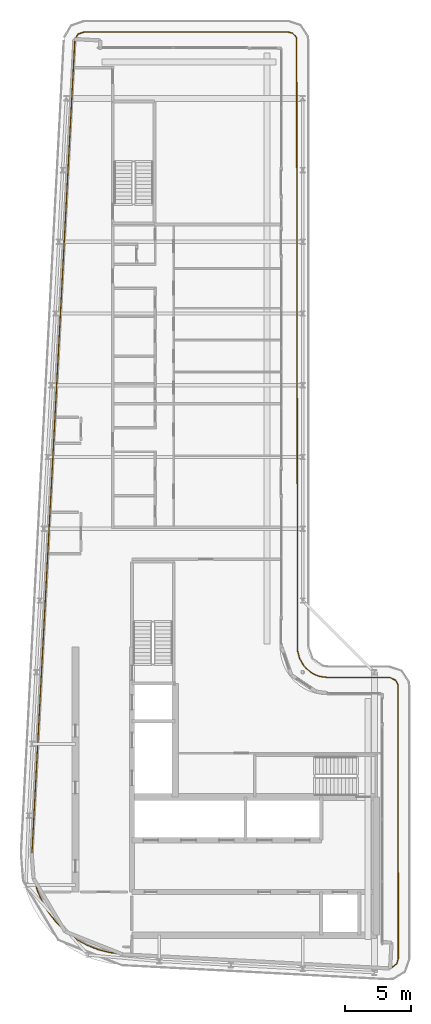
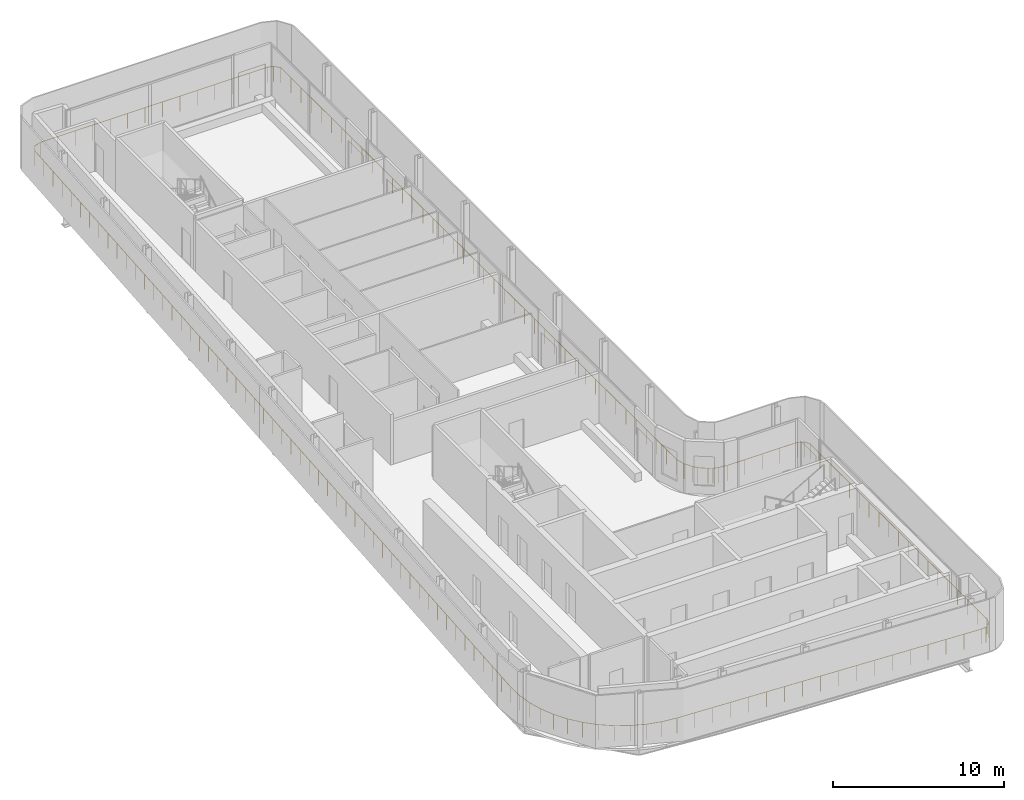
# One storey, part 16 of 19: 1 railing.
"""IFC4 building model written with IfcOpenShell, lengths in metres."""

from ifc_helpers import new_model, si_unit, direction, frame, origin, origin_2d, place, context, subcontext, project, spatial, circle, extrude, material, type_object, element, save


model = new_model("IFC4")

# Units and contexts
model_context = context("Model", 3, precision=1e-05, world=origin(), true_north=direction((0.0, 1.0)))
body_context = subcontext(model_context, "Body", "Model", "MODEL_VIEW")
ifc_project = project(units=[si_unit("LENGTHUNIT", "METRE"), si_unit("AREAUNIT", "SQUARE_METRE"), si_unit("VOLUMEUNIT", "CUBIC_METRE"), si_unit("PLANEANGLEUNIT", "RADIAN"), si_unit("MASSUNIT", "GRAM", prefix="KILO")], contexts=[model_context])

# Site, building, storey
site_placement = place(None, origin())
site = spatial("IfcSite", under=ifc_project, at=site_placement, CompositionType="ELEMENT")
building_placement = place(site_placement, origin())
building = spatial("IfcBuilding", under=site, at=building_placement, Name="Kheshtan School and Residences Tower", CompositionType="ELEMENT")
storey_placement = place(building_placement, frame((0.0, 0.0, 353.89990234375)))
storey = spatial("IfcBuildingStorey", under=building, at=storey_placement, Name="L83", CompositionType="ELEMENT", Elevation=353.89990234375)

# Railing
ifc_material = material(Name="Stainless steel balustrade", Category="steel")
railing_type = type_object("IfcRailingType", Name="Loggia guard 1100", PredefinedType="GUARDRAIL", material=ifc_material)
railing_placement = place(storey_placement, frame((30.452880859375, 93.23193359375, 0.0)))
element("IfcRailing", 1, at=railing_placement, inside=storey, type_object=railing_type, Name="Guard L83 1", PredefinedType="GUARDRAIL", context=body_context, shape_type="SweptSolid", body=[
    extrude(circle(Radius=0.02392578125, at=origin_2d()), frame((0.0, 0.0, 1.076171875), z_axis=(0.511384164068, 0.859352219256, 0.0), x_axis=(-0.859352219256, 0.511384164068, 0.0)), (0.0, 0.0, 1.0), 0.4736328125),
    extrude(circle(Radius=0.02392578125, at=origin_2d()), frame((0.2421875, 0.406982421875, 1.076171875), z_axis=(0.94615212502, 0.323722344486, 0.0), x_axis=(-0.323722344486, 0.94615212502, 0.0)), (0.0, 0.0, 1.0), 0.497802734375),
    extrude(circle(Radius=0.02392578125, at=origin_2d()), frame((0.713134765625, 0.568115234375, 1.076171875), z_axis=(1.0, 0.0, 0.0), x_axis=(0.0, 1.0, 0.0)), (0.0, 0.0, 1.0), 15.306884765625),
    extrude(circle(Radius=0.02392578125, at=origin_2d()), frame((16.02001953125, 0.568115234375, 1.076171875), z_axis=(0.969584789188, -0.244755667095, 0.0), x_axis=(0.244755667095, 0.969584789188, 0.0)), (0.0, 0.0, 1.0), 0.387939453125),
    extrude(circle(Radius=0.02392578125, at=origin_2d()), frame((16.396240234375, 0.47314453125, 1.076171875), z_axis=(0.658543074433, -0.752543034727, 0.0), x_axis=(0.752543034727, 0.658543074433, 0.0)), (0.0, 0.0, 1.0), 0.44921875),
    extrude(circle(Radius=0.02392578125, at=origin_2d()), frame((16.692138671875, 0.135009765625, 1.076171875), z_axis=(0.00158113856, -0.99999875, 0.0), x_axis=(0.99999875, 0.00158113856, 0.0)), (0.0, 0.0, 1.0), 46.16796875),
    extrude(circle(Radius=0.02392578125, at=origin_2d()), frame((16.76513671875, -46.032958984375, 1.076171875), z_axis=(0.258194066029, -0.966093072259, 0.0), x_axis=(0.966093072259, 0.258194066029, 0.0)), (0.0, 0.0, 1.0), 0.600341796875),
    extrude(circle(Radius=0.02392578125, at=origin_2d()), frame((16.920166015625, -46.613037109375, 1.076171875), z_axis=(0.500650830488, -0.865649320413, 0.0), x_axis=(0.865649320413, 0.500650830488, 0.0)), (0.0, 0.0, 1.0), 0.599365234375),
    extrude(circle(Radius=0.02392578125, at=origin_2d()), frame((17.22021484375, -47.1318359375, 1.076171875), z_axis=(0.657475962228, -0.753475519903, 0.0), x_axis=(0.753475519903, 0.657475962228, 0.0)), (0.0, 0.0, 1.0), 0.302734375),
    extrude(circle(Radius=0.02392578125, at=origin_2d()), frame((17.419189453125, -47.35986328125, 1.076171875), z_axis=(0.794207829635, -0.607646215611, 0.0), x_axis=(0.607646215611, 0.794207829635, 0.0)), (0.0, 0.0, 1.0), 0.6005859375),
    extrude(circle(Radius=0.02392578125, at=origin_2d()), frame((17.896240234375, -47.724853515625, 1.076171875), z_axis=(0.895558957072, -0.444942866455, 0.0), x_axis=(0.444942866455, 0.895558957072, 0.0)), (0.0, 0.0, 1.0), 0.30126953125),
    extrude(circle(Radius=0.02392578125, at=origin_2d()), frame((18.166015625, -47.85888671875, 1.076171875), z_axis=(0.946890871883, -0.321555091305, 0.0), x_axis=(0.321555091305, 0.946890871883, 0.0)), (0.0, 0.0, 1.0), 0.30224609375),
    extrude(circle(Radius=0.02392578125, at=origin_2d()), frame((18.4521484375, -47.9560546875, 1.076171875), z_axis=(0.991179452641, -0.132526573418, 0.0), x_axis=(0.132526573418, 0.991179452641, 0.0)), (0.0, 0.0, 1.0), 0.572998046875),
    extrude(circle(Radius=0.02392578125, at=origin_2d()), frame((19.02001953125, -48.031982421875, 1.076171875), z_axis=(0.999998541999, -0.001707630111, 0.0), x_axis=(0.001707630111, 0.999998541999, 0.0)), (0.0, 0.0, 1.0), 4.718017578125),
    extrude(circle(Radius=0.02392578125, at=origin_2d()), frame((23.738037109375, -48.0400390625, 1.076171875), z_axis=(0.897558100782, -0.440896196084, 0.0), x_axis=(0.440896196084, 0.897558100782, 0.0)), (0.0, 0.0, 1.0), 0.448974609375),
    extrude(circle(Radius=0.02392578125, at=origin_2d()), frame((24.14111328125, -48.238037109375, 1.076171875), z_axis=(0.498394889566, -0.866950133546, 0.0), x_axis=(0.866950133546, 0.498394889566, 0.0)), (0.0, 0.0, 1.0), 0.361083984375),
    extrude(circle(Radius=0.02392578125, at=origin_2d()), frame((24.321044921875, -48.551025390625, 1.076171875), z_axis=(0.001266271174, -0.999999198278, 0.0), x_axis=(0.999999198278, 0.001266271174, 0.0)), (0.0, 0.0, 1.0), 20.6298828125),
    extrude(circle(Radius=0.02392578125, at=origin_2d()), frame((24.34716796875, -69.180908203125, 1.076171875), z_axis=(-0.253805819319, -0.967255191808, 0.0), x_axis=(0.967255191808, -0.253805819319, 0.0)), (0.0, 0.0, 1.0), 0.402099609375),
    extrude(circle(Radius=0.02392578125, at=origin_2d()), frame((24.2451171875, -69.56982421875, 1.076171875), z_axis=(-0.7708150077, -0.637059042715, 0.0), x_axis=(0.637059042715, -0.7708150077, 0.0)), (0.0, 0.0, 1.0), 0.4619140625),
    extrude(circle(Radius=0.02392578125, at=origin_2d()), frame((23.88916015625, -69.864013671875, 1.076171875), z_axis=(-0.990293977152, -0.138988628372, 0.0), x_axis=(0.138988628372, -0.990293977152, 0.0)), (0.0, 0.0, 1.0), 0.30908203125),
    extrude(circle(Radius=0.02392578125, at=origin_2d()), frame((23.5830078125, -69.906982421875, 1.076171875), z_axis=(-0.99861401751, 0.052631207781, 0.0), x_axis=(-0.052631207781, -0.99861401751, 0.0)), (0.0, 0.0, 1.0), 20.0068359375),
    extrude(circle(Radius=0.02392578125, at=origin_2d()), frame((3.60400390625, -68.85400390625, 1.076171875), z_axis=(-0.993152326572, 0.116826607521, 0.0), x_axis=(-0.116826607521, -0.993152326572, 0.0)), (0.0, 0.0, 1.0), 0.967529296875),
    extrude(circle(Radius=0.02392578125, at=origin_2d()), frame((2.64306640625, -68.740966796875, 1.076171875), z_axis=(-0.969142269941, 0.246502049918, 0.0), x_axis=(-0.246502049918, -0.969142269941, 0.0)), (0.0, 0.0, 1.0), 0.94091796875),
    extrude(circle(Radius=0.02392578125, at=origin_2d()), frame((1.731201171875, -68.509033203125, 1.076171875), z_axis=(-0.928440955332, 0.371480002775, 0.0), x_axis=(-0.371480002775, -0.928440955332, 0.0)), (0.0, 0.0, 1.0), 0.9423828125),
    extrude(circle(Radius=0.02392578125, at=origin_2d()), frame((0.856201171875, -68.158935546875, 1.076171875), z_axis=(-0.872673913379, 0.488303431187, 0.0), x_axis=(-0.488303431187, -0.872673913379, 0.0)), (0.0, 0.0, 1.0), 0.94189453125),
    extrude(circle(Radius=0.02392578125, at=origin_2d()), frame((0.0341796875, -67.698974609375, 1.076171875), z_axis=(-0.801336596607, 0.598213723462, 0.0), x_axis=(-0.598213723462, -0.801336596607, 0.0)), (0.0, 0.0, 1.0), 0.941162109375),
    extrude(circle(Radius=0.02392578125, at=origin_2d()), frame((-0.719970703125, -67.135986328125, 1.076171875), z_axis=(-0.71600013962, 0.69810013613, 0.0), x_axis=(-0.69810013613, -0.71600013962, 0.0)), (0.0, 0.0, 1.0), 0.941162109375),
    extrude(circle(Radius=0.02392578125, at=origin_2d()), frame((-1.393798828125, -66.47900390625, 1.076171875), z_axis=(-0.618862535768, 0.785499307334, 0.0), x_axis=(-0.785499307334, -0.618862535768, 0.0)), (0.0, 0.0, 1.0), 0.942138671875),
    extrude(circle(Radius=0.02392578125, at=origin_2d()), frame((-1.976806640625, -65.739013671875, 1.076171875), z_axis=(-0.510214927824, 0.860046933269, 0.0), x_axis=(-0.860046933269, -0.510214927824, 0.0)), (0.0, 0.0, 1.0), 0.940673828125),
    extrude(circle(Radius=0.02392578125, at=origin_2d()), frame((-2.456787109375, -64.929931640625, 1.076171875), z_axis=(-0.394763216191, 0.918782892278, 0.0), x_axis=(-0.918782892278, -0.394763216191, 0.0)), (0.0, 0.0, 1.0), 0.942626953125),
    extrude(circle(Radius=0.02392578125, at=origin_2d()), frame((-2.828857421875, -64.06396484375, 1.076171875), z_axis=(-0.272014427065, 0.962293173346, 0.0), x_axis=(-0.962293173346, -0.272014427065, 0.0)), (0.0, 0.0, 1.0), 0.94140625),
    extrude(circle(Radius=0.02392578125, at=origin_2d()), frame((-3.0849609375, -63.157958984375, 1.076171875), z_axis=(-0.143344445165, 0.989672860111, 0.0), x_axis=(-0.989672860111, -0.143344445165, 0.0)), (0.0, 0.0, 1.0), 0.94189453125),
    extrude(circle(Radius=0.02392578125, at=origin_2d()), frame((-3.219970703125, -62.225830078125, 1.076171875), z_axis=(-0.013382639841, 0.999910448466, 0.0), x_axis=(-0.999910448466, -0.013382639841, 0.0)), (0.0, 0.0, 1.0), 0.966796875),
    extrude(circle(Radius=0.02392578125, at=origin_2d()), frame((-3.23291015625, -61.259033203125, 1.076171875), z_axis=(0.052701084501, 0.998610332258, 0.0), x_axis=(-0.998610332258, 0.052701084501, 0.0)), (0.0, 0.0, 1.0), 61.34423828125),
    extrude(circle(Radius=0.02099609375, at=origin_2d()), origin(), (0.0, 0.0, 1.0), 1.052001953125),
    extrude(circle(Radius=0.02099609375, at=origin_2d()), frame((0.2421875, 0.406982421875, 0.0)), (0.0, 0.0, 1.0), 1.052001953125),
    extrude(circle(Radius=0.02099609375, at=origin_2d()), frame((0.713134765625, 0.568115234375, 0.0)), (0.0, 0.0, 1.0), 1.052001953125),
    extrude(circle(Radius=0.02099609375, at=origin_2d()), frame((1.890625, 0.568115234375, 0.0)), (0.0, 0.0, 1.0), 1.052001953125),
    extrude(circle(Radius=0.02099609375, at=origin_2d()), frame((3.068115234375, 0.568115234375, 0.0)), (0.0, 0.0, 1.0), 1.052001953125),
    extrude(circle(Radius=0.02099609375, at=origin_2d()), frame((4.24560546875, 0.568115234375, 0.0)), (0.0, 0.0, 1.0), 1.052001953125),
    extrude(circle(Radius=0.02099609375, at=origin_2d()), frame((5.4228515625, 0.568115234375, 0.0)), (0.0, 0.0, 1.0), 1.052001953125),
    extrude(circle(Radius=0.02099609375, at=origin_2d()), frame((6.600341796875, 0.568115234375, 0.0)), (0.0, 0.0, 1.0), 1.052001953125),
    extrude(circle(Radius=0.02099609375, at=origin_2d()), frame((7.77783203125, 0.568115234375, 0.0)), (0.0, 0.0, 1.0), 1.052001953125),
    extrude(circle(Radius=0.02099609375, at=origin_2d()), frame((8.955322265625, 0.568115234375, 0.0)), (0.0, 0.0, 1.0), 1.052001953125),
    extrude(circle(Radius=0.02099609375, at=origin_2d()), frame((10.1328125, 0.568115234375, 0.0)), (0.0, 0.0, 1.0), 1.052001953125),
    extrude(circle(Radius=0.02099609375, at=origin_2d()), frame((11.310302734375, 0.568115234375, 0.0)), (0.0, 0.0, 1.0), 1.052001953125),
    extrude(circle(Radius=0.02099609375, at=origin_2d()), frame((12.487548828125, 0.568115234375, 0.0)), (0.0, 0.0, 1.0), 1.052001953125),
    extrude(circle(Radius=0.02099609375, at=origin_2d()), frame((13.6650390625, 0.568115234375, 0.0)), (0.0, 0.0, 1.0), 1.052001953125),
    extrude(circle(Radius=0.02099609375, at=origin_2d()), frame((14.842529296875, 0.568115234375, 0.0)), (0.0, 0.0, 1.0), 1.052001953125),
    extrude(circle(Radius=0.02099609375, at=origin_2d()), frame((16.02001953125, 0.568115234375, 0.0)), (0.0, 0.0, 1.0), 1.052001953125),
    extrude(circle(Radius=0.02099609375, at=origin_2d()), frame((16.396240234375, 0.47314453125, 0.0)), (0.0, 0.0, 1.0), 1.052001953125),
    extrude(circle(Radius=0.02099609375, at=origin_2d()), frame((16.692138671875, 0.135009765625, 0.0)), (0.0, 0.0, 1.0), 1.052001953125),
    extrude(circle(Radius=0.02099609375, at=origin_2d()), frame((16.694091796875, -1.048828125, 0.0)), (0.0, 0.0, 1.0), 1.052001953125),
    extrude(circle(Radius=0.02099609375, at=origin_2d()), frame((16.69580078125, -2.232666015625, 0.0)), (0.0, 0.0, 1.0), 1.052001953125),
    extrude(circle(Radius=0.02099609375, at=origin_2d()), frame((16.69775390625, -3.416259765625, 0.0)), (0.0, 0.0, 1.0), 1.052001953125),
    extrude(circle(Radius=0.02099609375, at=origin_2d()), frame((16.69970703125, -4.60009765625, 0.0)), (0.0, 0.0, 1.0), 1.052001953125),
    extrude(circle(Radius=0.02099609375, at=origin_2d()), frame((16.701416015625, -5.783935546875, 0.0)), (0.0, 0.0, 1.0), 1.052001953125),
    extrude(circle(Radius=0.02099609375, at=origin_2d()), frame((16.703369140625, -6.9677734375, 0.0)), (0.0, 0.0, 1.0), 1.052001953125),
    extrude(circle(Radius=0.02099609375, at=origin_2d()), frame((16.705322265625, -8.151611328125, 0.0)), (0.0, 0.0, 1.0), 1.052001953125),
    extrude(circle(Radius=0.02099609375, at=origin_2d()), frame((16.70703125, -9.33544921875, 0.0)), (0.0, 0.0, 1.0), 1.052001953125),
    extrude(circle(Radius=0.02099609375, at=origin_2d()), frame((16.708984375, -10.51904296875, 0.0)), (0.0, 0.0, 1.0), 1.052001953125),
    extrude(circle(Radius=0.02099609375, at=origin_2d()), frame((16.7109375, -11.702880859375, 0.0)), (0.0, 0.0, 1.0), 1.052001953125),
    extrude(circle(Radius=0.02099609375, at=origin_2d()), frame((16.712646484375, -12.88671875, 0.0)), (0.0, 0.0, 1.0), 1.052001953125),
    extrude(circle(Radius=0.02099609375, at=origin_2d()), frame((16.714599609375, -14.070556640625, 0.0)), (0.0, 0.0, 1.0), 1.052001953125),
    extrude(circle(Radius=0.02099609375, at=origin_2d()), frame((16.716552734375, -15.25439453125, 0.0)), (0.0, 0.0, 1.0), 1.052001953125),
    extrude(circle(Radius=0.02099609375, at=origin_2d()), frame((16.71826171875, -16.43798828125, 0.0)), (0.0, 0.0, 1.0), 1.052001953125),
    extrude(circle(Radius=0.02099609375, at=origin_2d()), frame((16.72021484375, -17.621826171875, 0.0)), (0.0, 0.0, 1.0), 1.052001953125),
    extrude(circle(Radius=0.02099609375, at=origin_2d()), frame((16.72216796875, -18.8056640625, 0.0)), (0.0, 0.0, 1.0), 1.052001953125),
    extrude(circle(Radius=0.02099609375, at=origin_2d()), frame((16.723876953125, -19.989501953125, 0.0)), (0.0, 0.0, 1.0), 1.052001953125),
    extrude(circle(Radius=0.02099609375, at=origin_2d()), frame((16.725830078125, -21.17333984375, 0.0)), (0.0, 0.0, 1.0), 1.052001953125),
    extrude(circle(Radius=0.02099609375, at=origin_2d()), frame((16.727783203125, -22.357177734375, 0.0)), (0.0, 0.0, 1.0), 1.052001953125),
    extrude(circle(Radius=0.02099609375, at=origin_2d()), frame((16.7294921875, -23.540771484375, 0.0)), (0.0, 0.0, 1.0), 1.052001953125),
    extrude(circle(Radius=0.02099609375, at=origin_2d()), frame((16.7314453125, -24.724609375, 0.0)), (0.0, 0.0, 1.0), 1.052001953125),
    extrude(circle(Radius=0.02099609375, at=origin_2d()), frame((16.7333984375, -25.908447265625, 0.0)), (0.0, 0.0, 1.0), 1.052001953125),
    extrude(circle(Radius=0.02099609375, at=origin_2d()), frame((16.735107421875, -27.09228515625, 0.0)), (0.0, 0.0, 1.0), 1.052001953125),
    extrude(circle(Radius=0.02099609375, at=origin_2d()), frame((16.737060546875, -28.276123046875, 0.0)), (0.0, 0.0, 1.0), 1.052001953125),
    extrude(circle(Radius=0.02099609375, at=origin_2d()), frame((16.739013671875, -29.4599609375, 0.0)), (0.0, 0.0, 1.0), 1.052001953125),
    extrude(circle(Radius=0.02099609375, at=origin_2d()), frame((16.74072265625, -30.6435546875, 0.0)), (0.0, 0.0, 1.0), 1.052001953125),
    extrude(circle(Radius=0.02099609375, at=origin_2d()), frame((16.74267578125, -31.827392578125, 0.0)), (0.0, 0.0, 1.0), 1.052001953125),
    extrude(circle(Radius=0.02099609375, at=origin_2d()), frame((16.74462890625, -33.01123046875, 0.0)), (0.0, 0.0, 1.0), 1.052001953125),
    extrude(circle(Radius=0.02099609375, at=origin_2d()), frame((16.746337890625, -34.195068359375, 0.0)), (0.0, 0.0, 1.0), 1.052001953125),
    extrude(circle(Radius=0.02099609375, at=origin_2d()), frame((16.748291015625, -35.37890625, 0.0)), (0.0, 0.0, 1.0), 1.052001953125),
    extrude(circle(Radius=0.02099609375, at=origin_2d()), frame((16.750244140625, -36.5625, 0.0)), (0.0, 0.0, 1.0), 1.052001953125),
    extrude(circle(Radius=0.02099609375, at=origin_2d()), frame((16.751953125, -37.746337890625, 0.0)), (0.0, 0.0, 1.0), 1.052001953125),
    extrude(circle(Radius=0.02099609375, at=origin_2d()), frame((16.75390625, -38.93017578125, 0.0)), (0.0, 0.0, 1.0), 1.052001953125),
    extrude(circle(Radius=0.02099609375, at=origin_2d()), frame((16.755859375, -40.114013671875, 0.0)), (0.0, 0.0, 1.0), 1.052001953125),
    extrude(circle(Radius=0.02099609375, at=origin_2d()), frame((16.757568359375, -41.2978515625, 0.0)), (0.0, 0.0, 1.0), 1.052001953125),
    extrude(circle(Radius=0.02099609375, at=origin_2d()), frame((16.759521484375, -42.481689453125, 0.0)), (0.0, 0.0, 1.0), 1.052001953125),
    extrude(circle(Radius=0.02099609375, at=origin_2d()), frame((16.761474609375, -43.665283203125, 0.0)), (0.0, 0.0, 1.0), 1.052001953125),
    extrude(circle(Radius=0.02099609375, at=origin_2d()), frame((16.76318359375, -44.84912109375, 0.0)), (0.0, 0.0, 1.0), 1.052001953125),
    extrude(circle(Radius=0.02099609375, at=origin_2d()), frame((16.76513671875, -46.032958984375, 0.0)), (0.0, 0.0, 1.0), 1.052001953125),
    extrude(circle(Radius=0.02099609375, at=origin_2d()), frame((16.920166015625, -46.613037109375, 0.0)), (0.0, 0.0, 1.0), 1.052001953125),
    extrude(circle(Radius=0.02099609375, at=origin_2d()), frame((17.22021484375, -47.1318359375, 0.0)), (0.0, 0.0, 1.0), 1.052001953125),
    extrude(circle(Radius=0.02099609375, at=origin_2d()), frame((17.419189453125, -47.35986328125, 0.0)), (0.0, 0.0, 1.0), 1.052001953125),
    extrude(circle(Radius=0.02099609375, at=origin_2d()), frame((17.896240234375, -47.724853515625, 0.0)), (0.0, 0.0, 1.0), 1.052001953125),
    extrude(circle(Radius=0.02099609375, at=origin_2d()), frame((18.166015625, -47.85888671875, 0.0)), (0.0, 0.0, 1.0), 1.052001953125),
    extrude(circle(Radius=0.02099609375, at=origin_2d()), frame((18.4521484375, -47.9560546875, 0.0)), (0.0, 0.0, 1.0), 1.052001953125),
    extrude(circle(Radius=0.02099609375, at=origin_2d()), frame((19.02001953125, -48.031982421875, 0.0)), (0.0, 0.0, 1.0), 1.052001953125),
    extrude(circle(Radius=0.02099609375, at=origin_2d()), frame((20.199462890625, -48.033935546875, 0.0)), (0.0, 0.0, 1.0), 1.052001953125),
    extrude(circle(Radius=0.02099609375, at=origin_2d()), frame((21.37890625, -48.0361328125, 0.0)), (0.0, 0.0, 1.0), 1.052001953125),
    extrude(circle(Radius=0.02099609375, at=origin_2d()), frame((22.55859375, -48.0380859375, 0.0)), (0.0, 0.0, 1.0), 1.052001953125),
    extrude(circle(Radius=0.02099609375, at=origin_2d()), frame((23.738037109375, -48.0400390625, 0.0)), (0.0, 0.0, 1.0), 1.052001953125),
    extrude(circle(Radius=0.02099609375, at=origin_2d()), frame((24.14111328125, -48.238037109375, 0.0)), (0.0, 0.0, 1.0), 1.052001953125),
    extrude(circle(Radius=0.02099609375, at=origin_2d()), frame((24.321044921875, -48.551025390625, 0.0)), (0.0, 0.0, 1.0), 1.052001953125),
    extrude(circle(Radius=0.02099609375, at=origin_2d()), frame((24.322509765625, -49.697021484375, 0.0)), (0.0, 0.0, 1.0), 1.052001953125),
    extrude(circle(Radius=0.02099609375, at=origin_2d()), frame((24.323974609375, -50.84326171875, 0.0)), (0.0, 0.0, 1.0), 1.052001953125),
    extrude(circle(Radius=0.02099609375, at=origin_2d()), frame((24.325439453125, -51.9892578125, 0.0)), (0.0, 0.0, 1.0), 1.052001953125),
    extrude(circle(Radius=0.02099609375, at=origin_2d()), frame((24.326904296875, -53.135498046875, 0.0)), (0.0, 0.0, 1.0), 1.052001953125),
    extrude(circle(Radius=0.02099609375, at=origin_2d()), frame((24.328369140625, -54.281494140625, 0.0)), (0.0, 0.0, 1.0), 1.052001953125),
    extrude(circle(Radius=0.02099609375, at=origin_2d()), frame((24.329833984375, -55.427734375, 0.0)), (0.0, 0.0, 1.0), 1.052001953125),
    extrude(circle(Radius=0.02099609375, at=origin_2d()), frame((24.331298828125, -56.57373046875, 0.0)), (0.0, 0.0, 1.0), 1.052001953125),
    extrude(circle(Radius=0.02099609375, at=origin_2d()), frame((24.332763671875, -57.719970703125, 0.0)), (0.0, 0.0, 1.0), 1.052001953125),
    extrude(circle(Radius=0.02099609375, at=origin_2d()), frame((24.333984375, -58.865966796875, 0.0)), (0.0, 0.0, 1.0), 1.052001953125),
    extrude(circle(Radius=0.02099609375, at=origin_2d()), frame((24.33544921875, -60.011962890625, 0.0)), (0.0, 0.0, 1.0), 1.052001953125),
    extrude(circle(Radius=0.02099609375, at=origin_2d()), frame((24.3369140625, -61.158203125, 0.0)), (0.0, 0.0, 1.0), 1.052001953125),
    extrude(circle(Radius=0.02099609375, at=origin_2d()), frame((24.33837890625, -62.30419921875, 0.0)), (0.0, 0.0, 1.0), 1.052001953125),
    extrude(circle(Radius=0.02099609375, at=origin_2d()), frame((24.33984375, -63.450439453125, 0.0)), (0.0, 0.0, 1.0), 1.052001953125),
    extrude(circle(Radius=0.02099609375, at=origin_2d()), frame((24.34130859375, -64.596435546875, 0.0)), (0.0, 0.0, 1.0), 1.052001953125),
    extrude(circle(Radius=0.02099609375, at=origin_2d()), frame((24.3427734375, -65.74267578125, 0.0)), (0.0, 0.0, 1.0), 1.052001953125),
    extrude(circle(Radius=0.02099609375, at=origin_2d()), frame((24.34423828125, -66.888671875, 0.0)), (0.0, 0.0, 1.0), 1.052001953125),
    extrude(circle(Radius=0.02099609375, at=origin_2d()), frame((24.345703125, -68.034912109375, 0.0)), (0.0, 0.0, 1.0), 1.052001953125),
    extrude(circle(Radius=0.02099609375, at=origin_2d()), frame((24.34716796875, -69.180908203125, 0.0)), (0.0, 0.0, 1.0), 1.052001953125),
    extrude(circle(Radius=0.02099609375, at=origin_2d()), frame((24.2451171875, -69.56982421875, 0.0)), (0.0, 0.0, 1.0), 1.052001953125),
    extrude(circle(Radius=0.02099609375, at=origin_2d()), frame((23.88916015625, -69.864013671875, 0.0)), (0.0, 0.0, 1.0), 1.052001953125),
    extrude(circle(Radius=0.02099609375, at=origin_2d()), frame((23.5830078125, -69.906982421875, 0.0)), (0.0, 0.0, 1.0), 1.052001953125),
    extrude(circle(Radius=0.02099609375, at=origin_2d()), frame((22.40771484375, -69.844970703125, 0.0)), (0.0, 0.0, 1.0), 1.052001953125),
    extrude(circle(Radius=0.02099609375, at=origin_2d()), frame((21.232421875, -69.783203125, 0.0)), (0.0, 0.0, 1.0), 1.052001953125),
    extrude(circle(Radius=0.02099609375, at=origin_2d()), frame((20.057373046875, -69.72119140625, 0.0)), (0.0, 0.0, 1.0), 1.052001953125),
    extrude(circle(Radius=0.02099609375, at=origin_2d()), frame((18.882080078125, -69.6591796875, 0.0)), (0.0, 0.0, 1.0), 1.052001953125),
    extrude(circle(Radius=0.02099609375, at=origin_2d()), frame((17.706787109375, -69.59716796875, 0.0)), (0.0, 0.0, 1.0), 1.052001953125),
    extrude(circle(Radius=0.02099609375, at=origin_2d()), frame((16.531494140625, -69.535400390625, 0.0)), (0.0, 0.0, 1.0), 1.052001953125),
    extrude(circle(Radius=0.02099609375, at=origin_2d()), frame((15.3564453125, -69.473388671875, 0.0)), (0.0, 0.0, 1.0), 1.052001953125),
    extrude(circle(Radius=0.02099609375, at=origin_2d()), frame((14.18115234375, -69.411376953125, 0.0)), (0.0, 0.0, 1.0), 1.052001953125),
    extrude(circle(Radius=0.02099609375, at=origin_2d()), frame((13.005859375, -69.349609375, 0.0)), (0.0, 0.0, 1.0), 1.052001953125),
    extrude(circle(Radius=0.02099609375, at=origin_2d()), frame((11.83056640625, -69.28759765625, 0.0)), (0.0, 0.0, 1.0), 1.052001953125),
    extrude(circle(Radius=0.02099609375, at=origin_2d()), frame((10.655517578125, -69.2255859375, 0.0)), (0.0, 0.0, 1.0), 1.052001953125),
    extrude(circle(Radius=0.02099609375, at=origin_2d()), frame((9.480224609375, -69.163818359375, 0.0)), (0.0, 0.0, 1.0), 1.052001953125),
    extrude(circle(Radius=0.02099609375, at=origin_2d()), frame((8.304931640625, -69.101806640625, 0.0)), (0.0, 0.0, 1.0), 1.052001953125),
    extrude(circle(Radius=0.02099609375, at=origin_2d()), frame((7.129638671875, -69.039794921875, 0.0)), (0.0, 0.0, 1.0), 1.052001953125),
    extrude(circle(Radius=0.02099609375, at=origin_2d()), frame((5.95458984375, -68.977783203125, 0.0)), (0.0, 0.0, 1.0), 1.052001953125),
    extrude(circle(Radius=0.02099609375, at=origin_2d()), frame((4.779296875, -68.916015625, 0.0)), (0.0, 0.0, 1.0), 1.052001953125),
    extrude(circle(Radius=0.02099609375, at=origin_2d()), frame((3.60400390625, -68.85400390625, 0.0)), (0.0, 0.0, 1.0), 1.052001953125),
    extrude(circle(Radius=0.02099609375, at=origin_2d()), frame((2.64306640625, -68.740966796875, 0.0)), (0.0, 0.0, 1.0), 1.052001953125),
    extrude(circle(Radius=0.02099609375, at=origin_2d()), frame((1.731201171875, -68.509033203125, 0.0)), (0.0, 0.0, 1.0), 1.052001953125),
    extrude(circle(Radius=0.02099609375, at=origin_2d()), frame((0.856201171875, -68.158935546875, 0.0)), (0.0, 0.0, 1.0), 1.052001953125),
    extrude(circle(Radius=0.02099609375, at=origin_2d()), frame((0.0341796875, -67.698974609375, 0.0)), (0.0, 0.0, 1.0), 1.052001953125),
    extrude(circle(Radius=0.02099609375, at=origin_2d()), frame((-0.719970703125, -67.135986328125, 0.0)), (0.0, 0.0, 1.0), 1.052001953125),
    extrude(circle(Radius=0.02099609375, at=origin_2d()), frame((-1.393798828125, -66.47900390625, 0.0)), (0.0, 0.0, 1.0), 1.052001953125),
    extrude(circle(Radius=0.02099609375, at=origin_2d()), frame((-1.976806640625, -65.739013671875, 0.0)), (0.0, 0.0, 1.0), 1.052001953125),
    extrude(circle(Radius=0.02099609375, at=origin_2d()), frame((-2.456787109375, -64.929931640625, 0.0)), (0.0, 0.0, 1.0), 1.052001953125),
    extrude(circle(Radius=0.02099609375, at=origin_2d()), frame((-2.828857421875, -64.06396484375, 0.0)), (0.0, 0.0, 1.0), 1.052001953125),
    extrude(circle(Radius=0.02099609375, at=origin_2d()), frame((-3.0849609375, -63.157958984375, 0.0)), (0.0, 0.0, 1.0), 1.052001953125),
    extrude(circle(Radius=0.02099609375, at=origin_2d()), frame((-3.219970703125, -62.225830078125, 0.0)), (0.0, 0.0, 1.0), 1.052001953125),
    extrude(circle(Radius=0.02099609375, at=origin_2d()), frame((-3.23291015625, -61.259033203125, 0.0)), (0.0, 0.0, 1.0), 1.052001953125),
    extrude(circle(Radius=0.02099609375, at=origin_2d()), frame((-3.170654296875, -60.0810546875, 0.0)), (0.0, 0.0, 1.0), 1.052001953125),
    extrude(circle(Radius=0.02099609375, at=origin_2d()), frame((-3.108642578125, -58.90283203125, 0.0)), (0.0, 0.0, 1.0), 1.052001953125),
    extrude(circle(Radius=0.02099609375, at=origin_2d()), frame((-3.04638671875, -57.724853515625, 0.0)), (0.0, 0.0, 1.0), 1.052001953125),
    extrude(circle(Radius=0.02099609375, at=origin_2d()), frame((-2.984130859375, -56.546875, 0.0)), (0.0, 0.0, 1.0), 1.052001953125),
    extrude(circle(Radius=0.02099609375, at=origin_2d()), frame((-2.922119140625, -55.36865234375, 0.0)), (0.0, 0.0, 1.0), 1.052001953125),
    extrude(circle(Radius=0.02099609375, at=origin_2d()), frame((-2.85986328125, -54.190673828125, 0.0)), (0.0, 0.0, 1.0), 1.052001953125),
    extrude(circle(Radius=0.02099609375, at=origin_2d()), frame((-2.797607421875, -53.0126953125, 0.0)), (0.0, 0.0, 1.0), 1.052001953125),
    extrude(circle(Radius=0.02099609375, at=origin_2d()), frame((-2.735595703125, -51.83447265625, 0.0)), (0.0, 0.0, 1.0), 1.052001953125),
    extrude(circle(Radius=0.02099609375, at=origin_2d()), frame((-2.67333984375, -50.656494140625, 0.0)), (0.0, 0.0, 1.0), 1.052001953125),
    extrude(circle(Radius=0.02099609375, at=origin_2d()), frame((-2.611083984375, -49.478515625, 0.0)), (0.0, 0.0, 1.0), 1.052001953125),
    extrude(circle(Radius=0.02099609375, at=origin_2d()), frame((-2.549072265625, -48.30029296875, 0.0)), (0.0, 0.0, 1.0), 1.052001953125),
    extrude(circle(Radius=0.02099609375, at=origin_2d()), frame((-2.48681640625, -47.122314453125, 0.0)), (0.0, 0.0, 1.0), 1.052001953125),
    extrude(circle(Radius=0.02099609375, at=origin_2d()), frame((-2.4248046875, -45.9443359375, 0.0)), (0.0, 0.0, 1.0), 1.052001953125),
    extrude(circle(Radius=0.02099609375, at=origin_2d()), frame((-2.362548828125, -44.76611328125, 0.0)), (0.0, 0.0, 1.0), 1.052001953125),
    extrude(circle(Radius=0.02099609375, at=origin_2d()), frame((-2.30029296875, -43.588134765625, 0.0)), (0.0, 0.0, 1.0), 1.052001953125),
    extrude(circle(Radius=0.02099609375, at=origin_2d()), frame((-2.23828125, -42.41015625, 0.0)), (0.0, 0.0, 1.0), 1.052001953125),
    extrude(circle(Radius=0.02099609375, at=origin_2d()), frame((-2.176025390625, -41.23193359375, 0.0)), (0.0, 0.0, 1.0), 1.052001953125),
    extrude(circle(Radius=0.02099609375, at=origin_2d()), frame((-2.11376953125, -40.053955078125, 0.0)), (0.0, 0.0, 1.0), 1.052001953125),
    extrude(circle(Radius=0.02099609375, at=origin_2d()), frame((-2.0517578125, -38.8759765625, 0.0)), (0.0, 0.0, 1.0), 1.052001953125),
    extrude(circle(Radius=0.02099609375, at=origin_2d()), frame((-1.989501953125, -37.69775390625, 0.0)), (0.0, 0.0, 1.0), 1.052001953125),
    extrude(circle(Radius=0.02099609375, at=origin_2d()), frame((-1.92724609375, -36.519775390625, 0.0)), (0.0, 0.0, 1.0), 1.052001953125),
    extrude(circle(Radius=0.02099609375, at=origin_2d()), frame((-1.865234375, -35.341796875, 0.0)), (0.0, 0.0, 1.0), 1.052001953125),
    extrude(circle(Radius=0.02099609375, at=origin_2d()), frame((-1.802978515625, -34.16357421875, 0.0)), (0.0, 0.0, 1.0), 1.052001953125),
    extrude(circle(Radius=0.02099609375, at=origin_2d()), frame((-1.74072265625, -32.985595703125, 0.0)), (0.0, 0.0, 1.0), 1.052001953125),
    extrude(circle(Radius=0.02099609375, at=origin_2d()), frame((-1.6787109375, -31.8076171875, 0.0)), (0.0, 0.0, 1.0), 1.052001953125),
    extrude(circle(Radius=0.02099609375, at=origin_2d()), frame((-1.616455078125, -30.62939453125, 0.0)), (0.0, 0.0, 1.0), 1.052001953125),
    extrude(circle(Radius=0.02099609375, at=origin_2d()), frame((-1.55419921875, -29.451416015625, 0.0)), (0.0, 0.0, 1.0), 1.052001953125),
    extrude(circle(Radius=0.02099609375, at=origin_2d()), frame((-1.4921875, -28.2734375, 0.0)), (0.0, 0.0, 1.0), 1.052001953125),
    extrude(circle(Radius=0.02099609375, at=origin_2d()), frame((-1.429931640625, -27.095458984375, 0.0)), (0.0, 0.0, 1.0), 1.052001953125),
    extrude(circle(Radius=0.02099609375, at=origin_2d()), frame((-1.36767578125, -25.917236328125, 0.0)), (0.0, 0.0, 1.0), 1.052001953125),
    extrude(circle(Radius=0.02099609375, at=origin_2d()), frame((-1.3056640625, -24.7392578125, 0.0)), (0.0, 0.0, 1.0), 1.052001953125),
    extrude(circle(Radius=0.02099609375, at=origin_2d()), frame((-1.243408203125, -23.561279296875, 0.0)), (0.0, 0.0, 1.0), 1.052001953125),
    extrude(circle(Radius=0.02099609375, at=origin_2d()), frame((-1.18115234375, -22.383056640625, 0.0)), (0.0, 0.0, 1.0), 1.052001953125),
    extrude(circle(Radius=0.02099609375, at=origin_2d()), frame((-1.119140625, -21.205078125, 0.0)), (0.0, 0.0, 1.0), 1.052001953125),
    extrude(circle(Radius=0.02099609375, at=origin_2d()), frame((-1.056884765625, -20.027099609375, 0.0)), (0.0, 0.0, 1.0), 1.052001953125),
    extrude(circle(Radius=0.02099609375, at=origin_2d()), frame((-0.99462890625, -18.848876953125, 0.0)), (0.0, 0.0, 1.0), 1.052001953125),
    extrude(circle(Radius=0.02099609375, at=origin_2d()), frame((-0.9326171875, -17.6708984375, 0.0)), (0.0, 0.0, 1.0), 1.052001953125),
    extrude(circle(Radius=0.02099609375, at=origin_2d()), frame((-0.870361328125, -16.492919921875, 0.0)), (0.0, 0.0, 1.0), 1.052001953125),
    extrude(circle(Radius=0.02099609375, at=origin_2d()), frame((-0.80810546875, -15.314697265625, 0.0)), (0.0, 0.0, 1.0), 1.052001953125),
    extrude(circle(Radius=0.02099609375, at=origin_2d()), frame((-0.74609375, -14.13671875, 0.0)), (0.0, 0.0, 1.0), 1.052001953125),
    extrude(circle(Radius=0.02099609375, at=origin_2d()), frame((-0.683837890625, -12.958740234375, 0.0)), (0.0, 0.0, 1.0), 1.052001953125),
    extrude(circle(Radius=0.02099609375, at=origin_2d()), frame((-0.621826171875, -11.780517578125, 0.0)), (0.0, 0.0, 1.0), 1.052001953125),
    extrude(circle(Radius=0.02099609375, at=origin_2d()), frame((-0.5595703125, -10.6025390625, 0.0)), (0.0, 0.0, 1.0), 1.052001953125),
    extrude(circle(Radius=0.02099609375, at=origin_2d()), frame((-0.497314453125, -9.424560546875, 0.0)), (0.0, 0.0, 1.0), 1.052001953125),
    extrude(circle(Radius=0.02099609375, at=origin_2d()), frame((-0.435302734375, -8.246337890625, 0.0)), (0.0, 0.0, 1.0), 1.052001953125),
    extrude(circle(Radius=0.02099609375, at=origin_2d()), frame((-0.373046875, -7.068359375, 0.0)), (0.0, 0.0, 1.0), 1.052001953125),
    extrude(circle(Radius=0.02099609375, at=origin_2d()), frame((-0.310791015625, -5.890380859375, 0.0)), (0.0, 0.0, 1.0), 1.052001953125),
    extrude(circle(Radius=0.02099609375, at=origin_2d()), frame((-0.248779296875, -4.712158203125, 0.0)), (0.0, 0.0, 1.0), 1.052001953125),
    extrude(circle(Radius=0.02099609375, at=origin_2d()), frame((-0.1865234375, -3.5341796875, 0.0)), (0.0, 0.0, 1.0), 1.052001953125),
    extrude(circle(Radius=0.02099609375, at=origin_2d()), frame((-0.124267578125, -2.356201171875, 0.0)), (0.0, 0.0, 1.0), 1.052001953125),
    extrude(circle(Radius=0.02099609375, at=origin_2d()), frame((-0.062255859375, -1.177978515625, 0.0)), (0.0, 0.0, 1.0), 1.052001953125),
])

save(model, "model.ifc")
